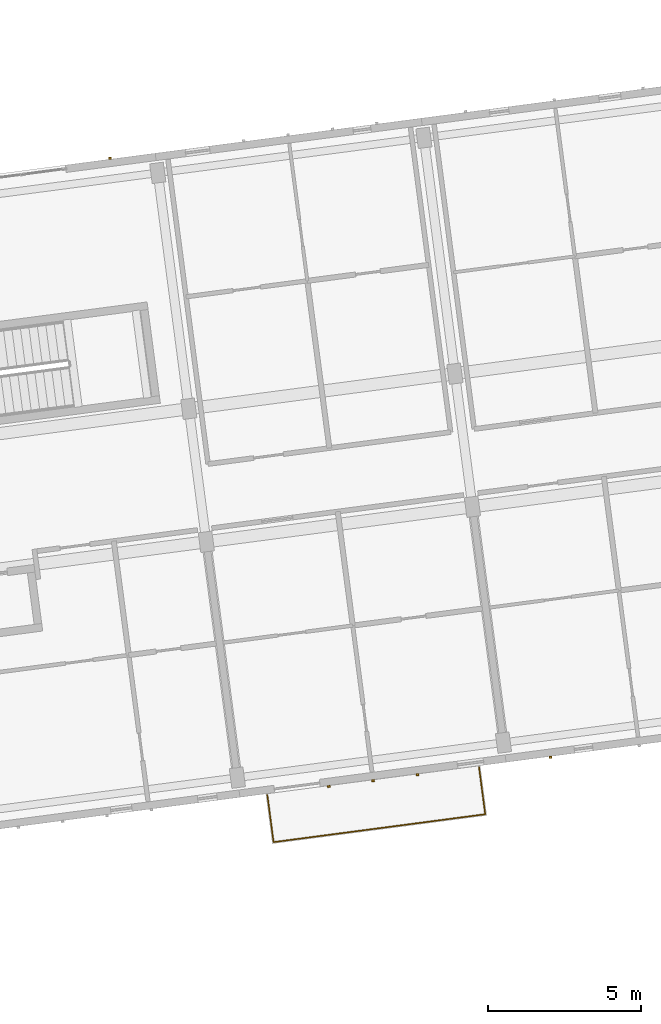
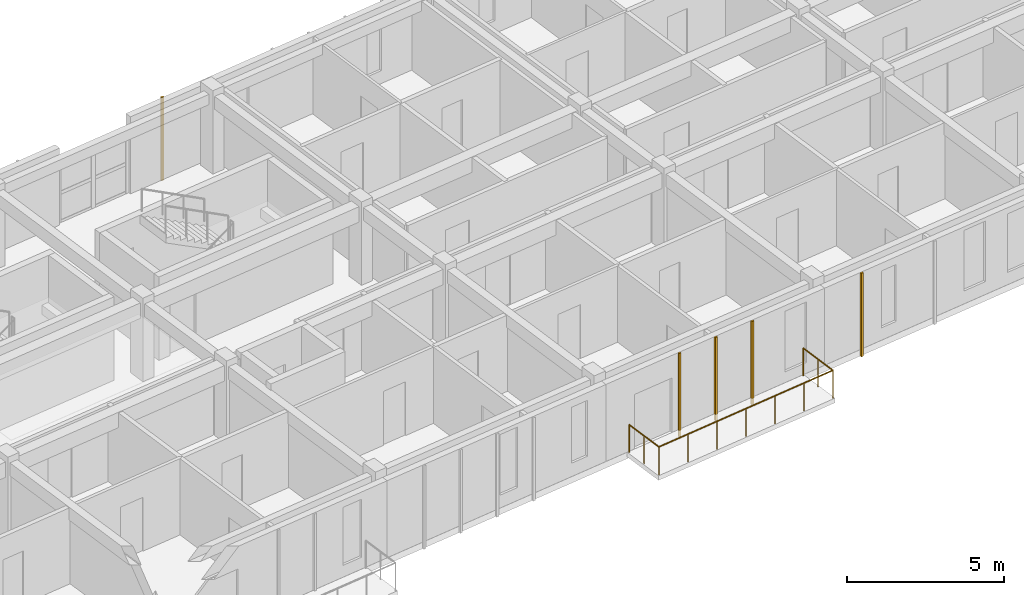
# One storey, part 34 of 45: 5 coverings, 1 railing.
"""IFC4 building model written with IfcOpenShell, lengths in metres."""

from ifc_helpers import new_model, si_unit, direction, frame, origin, origin_2d, place, context, subcontext, project, spatial, rectangle, circle, extrude, material, layer, layer_set, type_object, element, save


model = new_model("IFC4")

# Units and contexts
model_context = context("Model", 3, precision=1e-05, world=origin(), true_north=direction((0.0, 1.0)))
body_context = subcontext(model_context, "Body", "Model", "MODEL_VIEW")
ifc_project = project(units=[si_unit("LENGTHUNIT", "METRE"), si_unit("AREAUNIT", "SQUARE_METRE"), si_unit("VOLUMEUNIT", "CUBIC_METRE"), si_unit("PLANEANGLEUNIT", "RADIAN"), si_unit("MASSUNIT", "GRAM", prefix="KILO")], contexts=[model_context])

# Site, building, storey
site_placement = place(None, origin())
site = spatial("IfcSite", under=ifc_project, at=site_placement, CompositionType="ELEMENT")
building_placement = place(site_placement, origin())
building = spatial("IfcBuilding", under=site, at=building_placement, Name="Kestramere Prow Commons", CompositionType="ELEMENT")
storey_placement = place(building_placement, frame((0.0, 0.0, 31.14990234375)))
storey = spatial("IfcBuildingStorey", under=building, at=storey_placement, Name="L09", CompositionType="ELEMENT", Elevation=31.14990234375)

# Coverings
ifc_material_1 = material(Name="Weathered Zinc-Titanium Standing-Seam Cladding")
ifc_layer = layer(ifc_material_1, 0.074951171875)
ifc_layer_set = layer_set([ifc_layer], Name="Weathered Zinc-Titanium Standing-Seam Cladding")
covering_type = type_object("IfcCoveringType", Name="COV-CLAD-SEAM", PredefinedType="CLADDING", material=ifc_layer_set)
for number, where, z_axis, x_axis, name in (
    (1, (43.279052734375, 75.5400390625, -0.25), (0.0, 0.0, 1.0), (-0.991444861374, -0.13052619222, 0.0), "EW-A-L09-S-3 Standing-Seam Rib 2"),
    (2, (41.824951171875, 75.348388671875, -0.25), (0.0, 0.0, 1.0), (-0.991444861374, -0.13052619222, 0.0), "EW-A-L09-S-3 Standing-Seam Rib 3"),
    (3, (40.370849609375, 75.156982421875, -0.25), (0.0, 0.0, 1.0), (-0.991444861374, -0.13052619222, 0.0), "EW-A-L09-S-3 Standing-Seam Rib 4"),
    (4, (47.641357421875, 76.1142578125, -0.25), (0.0, 0.0, 1.0), (-0.991444861374, -0.13052619222, 0.0), "EW-A-L09-S-4 Standing-Seam Rib 5"),
    (5, (33.200439453125, 95.75244140625, -0.25), (0.0, 0.0, 1.0), (0.991444861374, 0.13052619222, 0.0), "EW-A-L09-NP-2-R Standing-Seam Rib 1"),
):
    element("IfcCovering", number, at=place(storey_placement, frame(where, z_axis=z_axis, x_axis=x_axis)), inside=storey, type_object=covering_type, Name=name, PredefinedType="CLADDING", context=body_context, shape_type="SweptSolid", body=[
        extrude(rectangle(XDim=0.0849609375, YDim=0.06494140625, at=origin_2d()), origin(), (0.0, 0.0, 1.0), 3.25),
    ])

# Railing
ifc_material_2 = material(Name="Powder-Coated Aluminium 6063-T6", Category="aluminium")
railing_type = type_object("IfcRailingType", Name="GRD-BALC-1100", PredefinedType="BALUSTRADE", material=ifc_material_2)
railing_placement = place(storey_placement, frame((38.3564453125, 74.879150390625, 0.0)))
element("IfcRailing", 6, at=railing_placement, inside=storey, type_object=railing_type, Name="Block A L09 Balcony Guardrail 4", PredefinedType="BALUSTRADE", context=body_context, shape_type="SweptSolid", body=[
    extrude(circle(Radius=0.02392578125, at=origin_2d()), frame((0.0, 0.0, 1.076171875), z_axis=(0.130523335136, -0.991445237512, 0.0), x_axis=(0.991445237512, 0.130523335136, 0.0)), (0.0, 0.0, 1.0), 1.56005859375),
    extrude(circle(Radius=0.02392578125, at=origin_2d()), frame((0.20361328125, -1.546630859375, 1.076171875), z_axis=(0.991442539299, 0.130543828916, 0.0), x_axis=(-0.130543828916, 0.991442539299, 0.0)), (0.0, 0.0, 1.0), 7.0),
    extrude(circle(Radius=0.02392578125, at=origin_2d()), frame((7.143798828125, -0.6328125, 1.076171875), z_axis=(-0.130523335136, 0.991445237512, 0.0), x_axis=(-0.991445237512, -0.130523335136, 0.0)), (0.0, 0.0, 1.0), 1.56005859375),
    extrude(circle(Radius=0.02099609375, at=origin_2d()), origin(), (0.0, 0.0, 1.0), 1.052001953125),
    extrude(circle(Radius=0.02099609375, at=origin_2d()), frame((0.101806640625, -0.7734375, 0.0)), (0.0, 0.0, 1.0), 1.052001953125),
    extrude(circle(Radius=0.02099609375, at=origin_2d()), frame((0.20361328125, -1.546630859375, 0.0)), (0.0, 0.0, 1.0), 1.052001953125),
    extrude(circle(Radius=0.02099609375, at=origin_2d()), frame((1.3603515625, -1.394287109375, 0.0)), (0.0, 0.0, 1.0), 1.052001953125),
    extrude(circle(Radius=0.02099609375, at=origin_2d()), frame((2.51708984375, -1.241943359375, 0.0)), (0.0, 0.0, 1.0), 1.052001953125),
    extrude(circle(Radius=0.02099609375, at=origin_2d()), frame((3.673828125, -1.08984375, 0.0)), (0.0, 0.0, 1.0), 1.052001953125),
    extrude(circle(Radius=0.02099609375, at=origin_2d()), frame((4.830322265625, -0.9375, 0.0)), (0.0, 0.0, 1.0), 1.052001953125),
    extrude(circle(Radius=0.02099609375, at=origin_2d()), frame((5.987060546875, -0.78515625, 0.0)), (0.0, 0.0, 1.0), 1.052001953125),
    extrude(circle(Radius=0.02099609375, at=origin_2d()), frame((7.143798828125, -0.6328125, 0.0)), (0.0, 0.0, 1.0), 1.052001953125),
    extrude(circle(Radius=0.02099609375, at=origin_2d()), frame((7.0419921875, 0.140625, 0.0)), (0.0, 0.0, 1.0), 1.052001953125),
    extrude(circle(Radius=0.02099609375, at=origin_2d()), frame((6.940185546875, 0.913818359375, 0.0)), (0.0, 0.0, 1.0), 1.052001953125),
])

save(model, "model.ifc")
